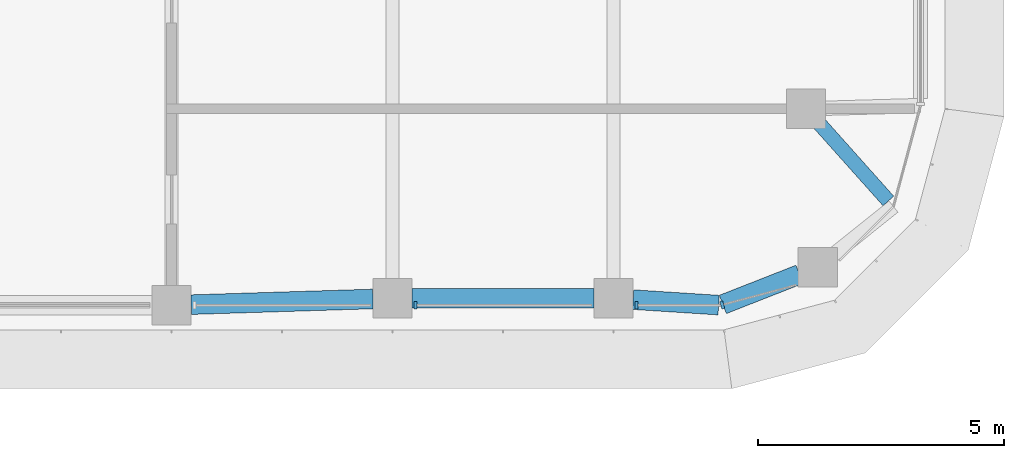
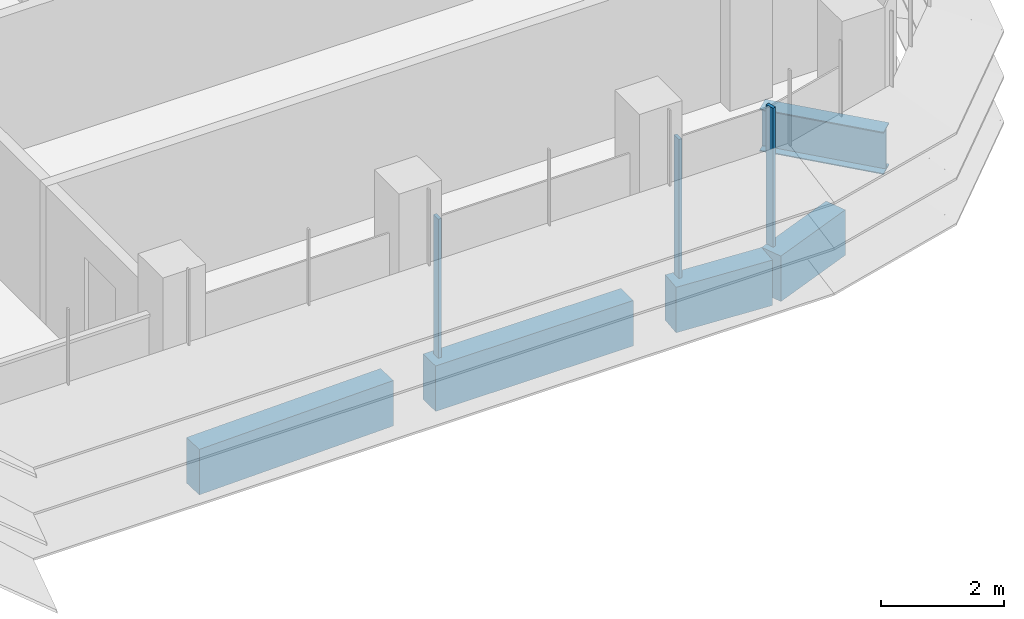
# One storey, part 5 of 19: 5 beams, 3 members, 2 elements without a shape of their own.
"""IFC4 building model written with IfcOpenShell, lengths in metres."""

from ifc_helpers import new_model, si_unit, direction, frame, origin, origin_2d, place, context, subcontext, project, spatial, polyline, rectangle, i_section, outline, extrude, source, transform, mapped, material, material_profile, profile_set, type_object, element, aggregate, save


model = new_model("IFC4")

# Units and contexts
model_context = context("Model", 3, precision=1e-05, world=origin(), true_north=direction((0.0, 1.0)))
body_context = subcontext(model_context, "Body", "Model", "MODEL_VIEW")
ifc_project = project(units=[si_unit("LENGTHUNIT", "METRE"), si_unit("AREAUNIT", "SQUARE_METRE"), si_unit("VOLUMEUNIT", "CUBIC_METRE"), si_unit("PLANEANGLEUNIT", "RADIAN"), si_unit("MASSUNIT", "GRAM", prefix="KILO")], contexts=[model_context])

# Site, building, storey
site_placement = place(None, origin())
site = spatial("IfcSite", under=ifc_project, at=site_placement, CompositionType="ELEMENT")
building_placement = place(site_placement, origin())
building = spatial("IfcBuilding", under=site, at=building_placement, Name="Zarbagh Exchange Tower", CompositionType="ELEMENT")
storey_placement = place(building_placement, frame((0.0, 0.0, 171.39990234375)))
storey = spatial("IfcBuildingStorey", under=building, at=storey_placement, Name="L41", CompositionType="ELEMENT", Elevation=171.39990234375)

# Beams
ifc_material_1 = material(Name="Steel ASTM A992 Gr 50", Category="steel")
ifc_material_profile_1 = material_profile(ifc_material_1, i_section(OverallWidth=0.2919921875, OverallDepth=0.835693359375, WebThickness=0.013916015625, FlangeThickness=0.018798828125, at=origin_2d()), Name="W33X118")
ifc_profile_set_1 = profile_set([ifc_material_profile_1], Name="Steel ASTM A992 Gr 50")
beam_type_1 = type_object("IfcBeamType", Name="Floor girder W33X118", PredefinedType="BEAM", material=ifc_profile_set_1)
beam_1_placement = place(storey_placement, frame((28.9365234375, -2.54833984375, -0.567626953125), z_axis=(0.666238158503, -0.745739040251, 0.0), x_axis=(0.745739040251, 0.666238158503, 0.0)))
element("IfcBeam", 1, at=beam_1_placement, inside=storey, type_object=beam_type_1, Name="Steel girder", PredefinedType="BEAM", context=body_context, shape_type="SweptSolid", body=[
    extrude(i_section(OverallWidth=0.2919921875, OverallDepth=0.835693359375, WebThickness=0.013916015625, FlangeThickness=0.018798828125, at=origin_2d()), origin(), (0.0, 0.0, 1.0), 2.115966796875),
])
ifc_material_2 = material(Name="Concrete C50/60", Category="concrete")
ifc_material_profile_2 = material_profile(ifc_material_2, rectangle(XDim=0.39990234375, YDim=0.89990234375, at=origin_2d()), Name="RC spandrel beam 400 x 900 C50/60")
ifc_profile_set_2 = profile_set([ifc_material_profile_2], Name="Concrete C50/60")
beam_type_2 = type_object("IfcBeamType", Name="RC spandrel beam 400 x 900 C50/60", PredefinedType="SPANDREL", material=ifc_profile_set_2)
beam_2_placement = place(storey_placement, frame((28.53564453125, -5.62109375, -0.599853515625), z_axis=(-0.930818758612, -0.36548110569, 0.0), x_axis=(0.36548110569, -0.930818758612, 0.0)))
element("IfcBeam", 2, at=beam_2_placement, inside=storey, type_object=beam_type_2, Name="RC spandrel beam", PredefinedType="SPANDREL", context=body_context, shape_type="SweptSolid", body=[
    extrude(rectangle(XDim=0.39990234375, YDim=0.89990234375, at=origin_2d()), origin(), (0.0, 0.0, 1.0), 1.676025390625),
])
beam_3_placement = place(storey_placement, frame((26.8896484375, -6.247314453125, -0.599853515625), z_axis=(-0.997942679773, 0.064112462805, 0.0), x_axis=(-0.064112462805, -0.997942679773, 0.0)))
element("IfcBeam", 3, at=beam_3_placement, inside=storey, type_object=beam_type_2, Name="RC spandrel beam", PredefinedType="SPANDREL", context=body_context, shape_type="SweptSolid", body=[
    extrude(rectangle(XDim=0.39990234375, YDim=0.89990234375, at=origin_2d()), origin(), (0.0, 0.0, 1.0), 1.744140625),
])
beam_4_placement = place(storey_placement, frame((24.35009765625, -6.110107421875, -0.599853515625), z_axis=(-1.0, 0.0, 0.0), x_axis=(0.0, -1.0, 0.0)))
element("IfcBeam", 4, at=beam_4_placement, inside=storey, type_object=beam_type_2, Name="RC spandrel beam", PredefinedType="SPANDREL", context=body_context, shape_type="SweptSolid", body=[
    extrude(rectangle(XDim=0.39990234375, YDim=0.89990234375, at=origin_2d()), origin(), (0.0, 0.0, 1.0), 3.7001953125),
])
beam_5_placement = place(storey_placement, frame((19.85009765625, -6.122314453125, -0.599853515625), z_axis=(-0.999515416033, -0.031127690444, 0.0), x_axis=(0.031127690444, -0.999515416033, 0.0)))
element("IfcBeam", 5, at=beam_5_placement, inside=storey, type_object=beam_type_2, Name="RC spandrel beam", PredefinedType="SPANDREL", context=body_context, shape_type="SweptSolid", body=[
    extrude(rectangle(XDim=0.39990234375, YDim=0.89990234375, at=origin_2d()), origin(), (0.0, 0.0, 1.0), 3.701904296875),
])

# Curtain wall, members
ifc_material_3 = material(Name="Anodised aluminium frame and glazing", Category="aluminium")
curtain_wall_type = type_object("IfcCurtainWallType", Name="CWB Ribbon glazing, upper zones", PredefinedType="NOTDEFINED", material=ifc_material_3)
curtain_wall_1_placement = place(storey_placement, origin())
curtain_wall_1 = element("IfcCurtainWall", 6, at=curtain_wall_1_placement, inside=storey, type_object=curtain_wall_type, Name="CWB08 curtain wall", PredefinedType="NOTDEFINED")
ifc_material_4 = material(Name="Anodised aluminium frame", Category="aluminium")
member_type = type_object("IfcMemberType", Name="MUB Mullion, anodised aluminium frame", PredefinedType="MULLION", material=ifc_material_4)
shared_shape = source(origin(), body_context, "Body", "SweptSolid", [
    extrude(outline(polyline([(0.0, -0.080078125), (0.06005859375, -0.080078125), (0.06005859375, 0.080078125), (0.0, 0.080078125), (0.0, -0.080078125)])), origin(), (0.0, 0.0, 1.0), 2.75),
])
placement = place(storey_placement, origin())
member_1 = element("IfcMember", 7, at=placement, type_object=member_type, Name="CWB08 mullion 3.1", PredefinedType="MULLION", context=body_context, shape_type="MappedRepresentation", body=[
    mapped(shared_shape, transform((20.68994140625, -6.25, 0.0), x_axis=(1.0, 0.0, 0.0), y_axis=(0.0, 1.0, 0.0), z_axis=(0.0, 0.0, 1.0))),
])
member_2 = element("IfcMember", 8, at=placement, type_object=member_type, Name="CWB08 mullion 4.1", PredefinedType="MULLION", context=body_context, shape_type="MappedRepresentation", body=[
    mapped(shared_shape, transform((25.18994140625, -6.25, 0.0), x_axis=(1.0, 0.0, 0.0), y_axis=(0.0, 1.0, 0.0), z_axis=(0.0, 0.0, 1.0))),
])
aggregate(curtain_wall_1, [member_1, member_2])

# Curtain wall, member
curtain_wall_2_placement = place(storey_placement, origin())
curtain_wall_2 = element("IfcCurtainWall", 9, at=curtain_wall_2_placement, inside=storey, type_object=curtain_wall_type, Name="CWB09 curtain wall", PredefinedType="NOTDEFINED")
member_3 = element("IfcMember", 10, at=placement, type_object=member_type, Name="CWB09 mullion 1.1", PredefinedType="MULLION", context=body_context, shape_type="MappedRepresentation", body=[
    mapped(shared_shape, transform((26.93408203125, -6.25, 0.0), x_axis=(0.965924289636, 0.258824779902, 0.0), y_axis=(-0.258824779902, 0.965924289636, 0.0), z_axis=(0.0, 0.0, 1.0))),
])
aggregate(curtain_wall_2, [member_3])

save(model, "model.ifc")
